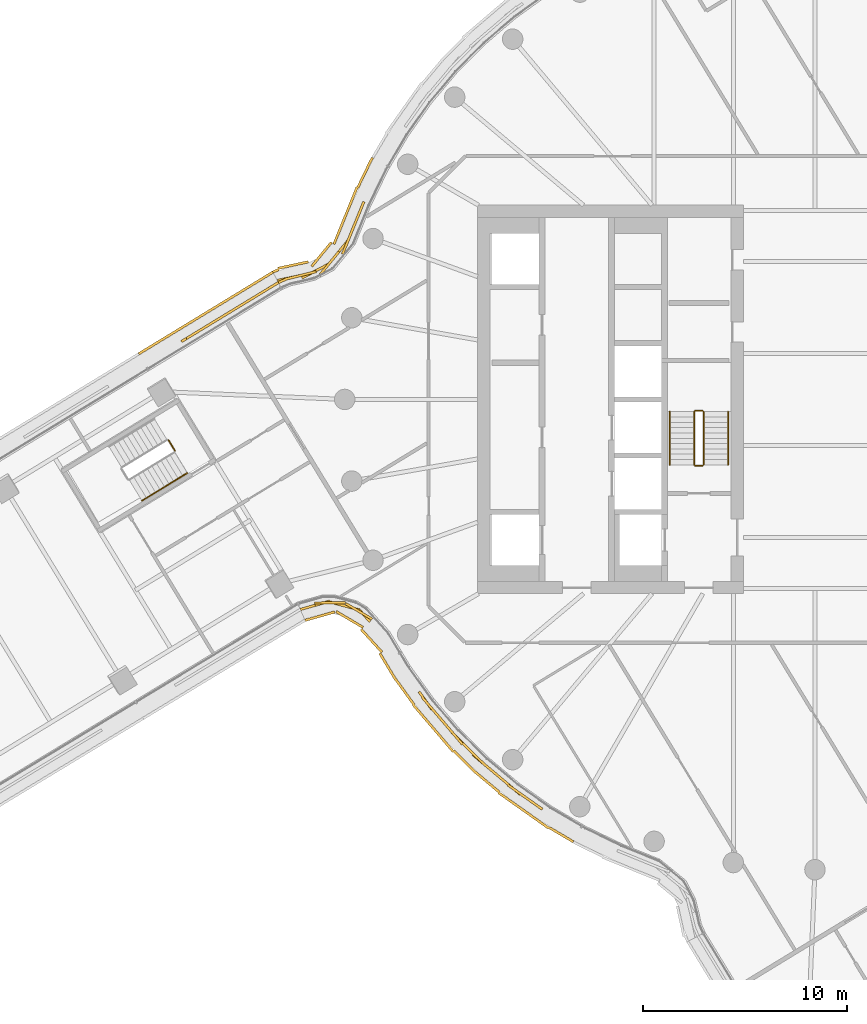
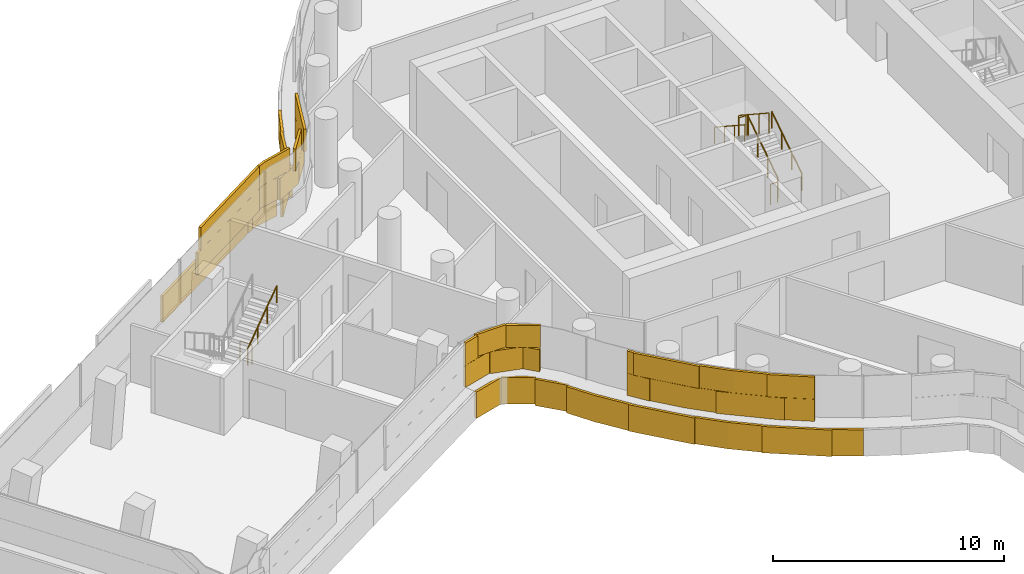
# One storey, part 30 of 35: 8 railings, 3 coverings.
"""IFC4 building model written with IfcOpenShell, lengths in metres."""

from ifc_helpers import new_model, si_unit, direction, frame, origin, origin_2d, place, context, subcontext, project, spatial, rectangle, circle, extrude, material, layer, layer_set, type_object, element, save


model = new_model("IFC4")

# Units and contexts
model_context = context("Model", 3, precision=1e-05, world=origin(), true_north=direction((0.0, 1.0)))
body_context = subcontext(model_context, "Body", "Model", "MODEL_VIEW")
ifc_project = project(units=[si_unit("LENGTHUNIT", "METRE"), si_unit("AREAUNIT", "SQUARE_METRE"), si_unit("VOLUMEUNIT", "CUBIC_METRE"), si_unit("PLANEANGLEUNIT", "RADIAN"), si_unit("MASSUNIT", "GRAM", prefix="KILO")], contexts=[model_context])

# Site, building, storey
site_placement = place(None, origin())
site = spatial("IfcSite", under=ifc_project, at=site_placement, CompositionType="ELEMENT")
building_placement = place(site_placement, origin())
building = spatial("IfcBuilding", under=site, at=building_placement, Name="Tamarind Cross Interchange Tower", CompositionType="ELEMENT")
storey_placement = place(building_placement, frame((0.0, 0.0, 148.0)))
storey = spatial("IfcBuildingStorey", under=building, at=storey_placement, Name="L36", CompositionType="ELEMENT", Elevation=148.0)

# Railings
ifc_material_1 = material(Name="Stair guard")
railing_type_1 = type_object("IfcRailingType", Name="Stair guard", PredefinedType="GUARDRAIL", material=ifc_material_1)
railing_1_placement = place(storey_placement, frame((-5.449951171875, -3.199951171875, 0.17041015625)))
element("IfcRailing", 1, at=railing_1_placement, inside=storey, type_object=railing_type_1, Name="L36 ST1 stair guard 1", PredefinedType="GUARDRAIL", context=body_context, shape_type="SweptSolid", body=[
    extrude(circle(Radius=0.02392578125, at=origin_2d()), frame((0.0, 0.0, 1.076171875), z_axis=(0.0, 0.836278606002, 0.548304744775), x_axis=(-1.0, 0.0, 0.0)), (0.0, 0.0, 1.0), 3.10888671875),
    extrude(circle(Radius=0.02099609375, at=origin_2d()), origin(), (0.0, 0.0, 1.0), 1.052001953125),
    extrude(circle(Radius=0.02099609375, at=origin_2d()), frame((0.0, 0.86669921875, 0.568115234375)), (0.0, 0.0, 1.0), 1.052001953125),
    extrude(circle(Radius=0.02099609375, at=origin_2d()), frame((0.0, 1.733154296875, 1.136474609375)), (0.0, 0.0, 1.0), 1.052001953125),
    extrude(circle(Radius=0.02099609375, at=origin_2d()), frame((0.0, 2.599853515625, 1.70458984375)), (0.0, 0.0, 1.0), 1.052001953125),
])
railing_2_placement = place(storey_placement, frame((-5.5, -0.550048828125, 1.875)))
element("IfcRailing", 2, at=railing_2_placement, inside=storey, type_object=railing_type_1, Name="L36 ST1 stair guard 2", PredefinedType="GUARDRAIL", context=body_context, shape_type="SweptSolid", body=[
    extrude(circle(Radius=0.02392578125, at=origin_2d()), frame((0.0, 0.0, 1.076171875), z_axis=(-1.0, 0.0, 0.0), x_axis=(0.0, -1.0, 0.0)), (0.0, 0.0, 1.0), 0.35009765625),
    extrude(circle(Radius=0.02099609375, at=origin_2d()), origin(), (0.0, 0.0, 1.0), 1.052001953125),
    extrude(circle(Radius=0.02099609375, at=origin_2d()), frame((-0.35009765625, 0.0, 0.0)), (0.0, 0.0, 1.0), 1.052001953125),
])
railing_3_placement = place(storey_placement, frame((-5.89990234375, -0.60009765625, 2.04541015625)))
element("IfcRailing", 3, at=railing_3_placement, inside=storey, type_object=railing_type_1, Name="L36 ST1 stair guard 3", PredefinedType="GUARDRAIL", context=body_context, shape_type="SweptSolid", body=[
    extrude(circle(Radius=0.02392578125, at=origin_2d()), frame((0.0, 0.0, 1.076171875), z_axis=(0.0, -0.836278606002, 0.548304744775), x_axis=(1.0, 0.0, 0.0)), (0.0, 0.0, 1.0), 3.10888671875),
    extrude(circle(Radius=0.02099609375, at=origin_2d()), origin(), (0.0, 0.0, 1.0), 1.052001953125),
    extrude(circle(Radius=0.02099609375, at=origin_2d()), frame((0.0, -0.86669921875, 0.568115234375)), (0.0, 0.0, 1.0), 1.052001953125),
    extrude(circle(Radius=0.02099609375, at=origin_2d()), frame((0.0, -1.733154296875, 1.136474609375)), (0.0, 0.0, 1.0), 1.052001953125),
    extrude(circle(Radius=0.02099609375, at=origin_2d()), frame((0.0, -2.599853515625, 1.70458984375)), (0.0, 0.0, 1.0), 1.052001953125),
])
railing_4_placement = place(storey_placement, frame((-5.5, -3.25, 0.0)))
element("IfcRailing", 4, at=railing_4_placement, inside=storey, type_object=railing_type_1, Name="L36 ST1 stair guard 4", PredefinedType="GUARDRAIL", context=body_context, shape_type="SweptSolid", body=[
    extrude(circle(Radius=0.02392578125, at=origin_2d()), frame((0.0, 0.0, 1.076171875), z_axis=(-1.0, 0.0, 0.0), x_axis=(0.0, -1.0, 0.0)), (0.0, 0.0, 1.0), 0.35009765625),
    extrude(circle(Radius=0.02099609375, at=origin_2d()), origin(), (0.0, 0.0, 1.0), 1.052001953125),
    extrude(circle(Radius=0.02099609375, at=origin_2d()), frame((-0.35009765625, 0.0, 0.0)), (0.0, 0.0, 1.0), 1.052001953125),
])
railing_5_placement = place(storey_placement, frame((-31.61669921875, -1.9931640625, 0.0)))
element("IfcRailing", 5, at=railing_5_placement, inside=storey, type_object=railing_type_1, Name="L36 ST5 stair guard 4", PredefinedType="GUARDRAIL", context=body_context, shape_type="SweptSolid", body=[
    extrude(circle(Radius=0.02392578125, at=origin_2d()), frame((0.0, 0.0, 1.076171875), z_axis=(0.520346994905, -0.853954919708, 0.0), x_axis=(0.853954919708, 0.520346994905, 0.0)), (0.0, 0.0, 1.0), 0.60009765625),
    extrude(circle(Radius=0.02099609375, at=origin_2d()), origin(), (0.0, 0.0, 1.0), 1.052001953125),
    extrude(circle(Radius=0.02099609375, at=origin_2d()), frame((0.312255859375, -0.512451171875, 0.0)), (0.0, 0.0, 1.0), 1.052001953125),
])
ifc_material_2 = material(Name="Stair handrail")
railing_type_2 = type_object("IfcRailingType", Name="Stair handrail", PredefinedType="HANDRAIL", material=ifc_material_2)
railing_6_placement = place(storey_placement, frame((-4.25, -3.199951171875, 0.17041015625)))
element("IfcRailing", 6, at=railing_6_placement, inside=storey, type_object=railing_type_2, Name="L36 ST1 stair handrail 1", PredefinedType="HANDRAIL", context=body_context, shape_type="SweptSolid", body=[
    extrude(circle(Radius=0.02392578125, at=origin_2d()), frame((0.0, 0.0, 0.8759765625), z_axis=(0.0, 0.836278606002, 0.548304744775), x_axis=(-1.0, 0.0, 0.0)), (0.0, 0.0, 1.0), 3.10888671875),
    extrude(circle(Radius=0.02099609375, at=origin_2d()), origin(), (0.0, 0.0, 1.0), 0.851806640625),
    extrude(circle(Radius=0.02099609375, at=origin_2d()), frame((0.0, 0.86669921875, 0.568115234375)), (0.0, 0.0, 1.0), 0.851806640625),
    extrude(circle(Radius=0.02099609375, at=origin_2d()), frame((0.0, 1.733154296875, 1.136474609375)), (0.0, 0.0, 1.0), 0.851806640625),
    extrude(circle(Radius=0.02099609375, at=origin_2d()), frame((0.0, 2.599853515625, 1.70458984375)), (0.0, 0.0, 1.0), 0.851806640625),
])
railing_7_placement = place(storey_placement, frame((-7.10009765625, -0.60009765625, 2.04541015625)))
element("IfcRailing", 7, at=railing_7_placement, inside=storey, type_object=railing_type_2, Name="L36 ST1 stair handrail 2", PredefinedType="HANDRAIL", context=body_context, shape_type="SweptSolid", body=[
    extrude(circle(Radius=0.02392578125, at=origin_2d()), frame((0.0, 0.0, 0.8759765625), z_axis=(0.0, -0.836278606002, 0.548304744775), x_axis=(1.0, 0.0, 0.0)), (0.0, 0.0, 1.0), 3.10888671875),
    extrude(circle(Radius=0.02099609375, at=origin_2d()), origin(), (0.0, 0.0, 1.0), 0.851806640625),
    extrude(circle(Radius=0.02099609375, at=origin_2d()), frame((0.0, -0.86669921875, 0.568115234375)), (0.0, 0.0, 1.0), 0.851806640625),
    extrude(circle(Radius=0.02099609375, at=origin_2d()), frame((0.0, -1.733154296875, 1.136474609375)), (0.0, 0.0, 1.0), 0.851806640625),
    extrude(circle(Radius=0.02099609375, at=origin_2d()), frame((0.0, -2.599853515625, 1.70458984375)), (0.0, 0.0, 1.0), 0.851806640625),
])
railing_8_placement = place(storey_placement, frame((-32.91748046875, -4.95166015625, 2.04541015625)))
element("IfcRailing", 8, at=railing_8_placement, inside=storey, type_object=railing_type_2, Name="L36 ST5 stair handrail 2", PredefinedType="HANDRAIL", context=body_context, shape_type="SweptSolid", body=[
    extrude(circle(Radius=0.02392578125, at=origin_2d()), frame((0.0, 0.0, 0.8759765625), z_axis=(0.714220387385, 0.435050131513, 0.548288811954), x_axis=(-0.520215026627, 0.854035318984, 0.0)), (0.0, 0.0, 1.0), 3.10888671875),
    extrude(circle(Radius=0.02099609375, at=origin_2d()), origin(), (0.0, 0.0, 1.0), 0.851806640625),
    extrude(circle(Radius=0.02099609375, at=origin_2d()), frame((0.740234375, 0.450927734375, 0.568115234375)), (0.0, 0.0, 1.0), 0.851806640625),
    extrude(circle(Radius=0.02099609375, at=origin_2d()), frame((1.480224609375, 0.901611328125, 1.136474609375)), (0.0, 0.0, 1.0), 0.851806640625),
    extrude(circle(Radius=0.02099609375, at=origin_2d()), frame((2.220458984375, 1.3525390625, 1.70458984375)), (0.0, 0.0, 1.0), 0.851806640625),
])

# Coverings
ifc_material_3 = material(Name="Terracotta", Category="masonry")
ifc_layer = layer(ifc_material_3, 0.1201171875)
ifc_layer_set = layer_set([ifc_layer], Name="Terracotta")
covering_type = type_object("IfcCoveringType", Name="Terracotta baguette screen unit", PredefinedType="MOLDING", material=ifc_layer_set)
covering_1_placement = place(storey_placement, origin())
element("IfcCovering", 9, at=covering_1_placement, inside=storey, type_object=covering_type, Name="SCR-L36-02-00", PredefinedType="MOLDING", context=body_context, shape_type="SweptSolid", body=[
    extrude(rectangle(XDim=1.510009765625, YDim=0.1201171875, at=origin_2d()), frame((-24.4482421875, -10.0693359375, 1.404052734375), z_axis=(0.0, 0.0, 1.0), x_axis=(0.961947395752, 0.273234711933, 0.0)), (0.0, 0.0, 1.0), 1.1669921875),
    extrude(rectangle(XDim=1.52001953125, YDim=0.1201171875, at=origin_2d()), frame((-22.984130859375, -10.1025390625, 1.404052734375), z_axis=(0.0, 0.0, 1.0), x_axis=(0.965393139057, -0.260798939915, 0.0)), (0.0, 0.0, 1.0), 1.1669921875),
    extrude(rectangle(XDim=0.739990234375, YDim=0.1201171875, at=origin_2d()), frame((-22.0078125, -10.59521484375, 1.404052734375), z_axis=(0.0, 0.0, 1.0), x_axis=(0.672064658233, -0.740492467993, 0.0)), (0.0, 0.0, 1.0), 1.1669921875),
    extrude(rectangle(XDim=1.079833984375, YDim=0.1201171875, at=origin_2d()), frame((-19.048095703125, -14.730224609375, 1.404052734375), z_axis=(0.0, 0.0, 1.0), x_axis=(0.584573890505, -0.811340475102, 0.0)), (0.0, 0.0, 1.0), 1.1669921875),
    extrude(rectangle(XDim=1.52001953125, YDim=0.1201171875, at=origin_2d()), frame((-18.22509765625, -15.71630859375, 1.404052734375), z_axis=(0.0, 0.0, 1.0), x_axis=(0.64957723968, -0.760295606781, 0.0)), (0.0, 0.0, 1.0), 1.1669921875),
    extrude(rectangle(XDim=1.52001953125, YDim=0.1201171875, at=origin_2d()), frame((-17.213623046875, -16.822021484375, 1.404052734375), z_axis=(0.0, 0.0, 1.0), x_axis=(0.710143317658, -0.704057148523, 0.0)), (0.0, 0.0, 1.0), 1.1669921875),
    extrude(rectangle(XDim=1.52001953125, YDim=0.1201171875, at=origin_2d()), frame((-16.141357421875, -17.87060546875, 1.404052734375), z_axis=(0.0, 0.0, 1.0), x_axis=(0.765858396687, -0.643009266048, 0.0)), (0.0, 0.0, 1.0), 1.1669921875),
    extrude(rectangle(XDim=1.52001953125, YDim=0.1201171875, at=origin_2d()), frame((-14.99267578125, -18.835205078125, 1.404052734375), z_axis=(0.0, 0.0, 1.0), x_axis=(0.765858396687, -0.643009266048, 0.0)), (0.0, 0.0, 1.0), 1.1669921875),
    extrude(rectangle(XDim=1.30908203125, YDim=0.1201171875, at=origin_2d()), frame((-13.86865234375, -19.66748046875, 1.404052734375), z_axis=(0.0, 0.0, 1.0), x_axis=(0.816341886298, -0.577568978284, 0.0)), (0.0, 0.0, 1.0), 1.1669921875),
    extrude(rectangle(XDim=0.760009765625, YDim=0.1201171875, at=origin_2d()), frame((-24.808837890625, -10.171875, 2.5791015625), z_axis=(0.0, 0.0, 1.0), x_axis=(0.961947395752, 0.273234711933, 0.0)), (0.0, 0.0, 1.0), 1.1669921875),
    extrude(rectangle(XDim=1.52001953125, YDim=0.1201171875, at=origin_2d()), frame((-23.714111328125, -9.952392578125, 2.5791015625), z_axis=(0.0, 0.0, 1.0), x_axis=(0.999979184587, 0.006452161906, 0.0)), (0.0, 0.0, 1.0), 1.1669921875),
    extrude(rectangle(XDim=1.489990234375, YDim=0.1201171875, at=origin_2d()), frame((-22.2998046875, -10.366455078125, 2.5791015625), z_axis=(0.0, 0.0, 1.0), x_axis=(0.860700875166, -0.509110993291, 0.0)), (0.0, 0.0, 1.0), 1.1669921875),
    extrude(rectangle(XDim=0.329833984375, YDim=0.1201171875, at=origin_2d()), frame((-19.267333984375, -14.426025390625, 2.5791015625), z_axis=(0.0, 0.0, 1.0), x_axis=(0.584573890505, -0.811340475102, 0.0)), (0.0, 0.0, 1.0), 1.1669921875),
    extrude(rectangle(XDim=1.52001953125, YDim=0.1201171875, at=origin_2d()), frame((-18.71240234375, -15.14599609375, 2.5791015625), z_axis=(0.0, 0.0, 1.0), x_axis=(0.64957723968, -0.760295606781, 0.0)), (0.0, 0.0, 1.0), 1.1669921875),
    extrude(rectangle(XDim=1.52001953125, YDim=0.1201171875, at=origin_2d()), frame((-17.738037109375, -16.286376953125, 2.5791015625), z_axis=(0.0, 0.0, 1.0), x_axis=(0.64957723968, -0.760295606781, 0.0)), (0.0, 0.0, 1.0), 1.1669921875),
    extrude(rectangle(XDim=1.52001953125, YDim=0.1201171875, at=origin_2d()), frame((-16.680908203125, -17.35009765625, 2.5791015625), z_axis=(0.0, 0.0, 1.0), x_axis=(0.710143317658, -0.704057148523, 0.0)), (0.0, 0.0, 1.0), 1.1669921875),
    extrude(rectangle(XDim=1.52001953125, YDim=0.1201171875, at=origin_2d()), frame((-15.567138671875, -18.352783203125, 2.5791015625), z_axis=(0.0, 0.0, 1.0), x_axis=(0.765858396687, -0.643009266048, 0.0)), (0.0, 0.0, 1.0), 1.1669921875),
    extrude(rectangle(XDim=1.52001953125, YDim=0.1201171875, at=origin_2d()), frame((-14.39892578125, -19.292236328125, 2.5791015625), z_axis=(0.0, 0.0, 1.0), x_axis=(0.816341886298, -0.577568978284, 0.0)), (0.0, 0.0, 1.0), 1.1669921875),
    extrude(rectangle(XDim=0.55908203125, YDim=0.1201171875, at=origin_2d()), frame((-13.5625, -19.884033203125, 2.5791015625), z_axis=(0.0, 0.0, 1.0), x_axis=(0.816341886298, -0.577568978284, 0.0)), (0.0, 0.0, 1.0), 1.1669921875),
    extrude(rectangle(XDim=1.510009765625, YDim=0.1201171875, at=origin_2d()), frame((-24.2119140625, -10.59912109375, 0.00390625), z_axis=(0.0, 0.0, 1.0), x_axis=(0.961947395752, 0.273234711933, 0.0)), (0.0, 0.0, 1.0), 1.39208984375),
    extrude(rectangle(XDim=1.52001953125, YDim=0.1201171875, at=origin_2d()), frame((-22.75927734375, -10.76171875, 0.00390625), z_axis=(0.0, 0.0, 1.0), x_axis=(0.860700875166, -0.509110993291, 0.0)), (0.0, 0.0, 1.0), 1.39208984375),
    extrude(rectangle(XDim=1.52001953125, YDim=0.1201171875, at=origin_2d()), frame((-21.690673828125, -11.79833984375, 0.00390625), z_axis=(0.0, 0.0, 1.0), x_axis=(0.672064658233, -0.740492467993, 0.0)), (0.0, 0.0, 1.0), 1.39208984375),
    extrude(rectangle(XDim=1.52001953125, YDim=0.1201171875, at=origin_2d()), frame((-20.893798828125, -13.066162109375, 0.00390625), z_axis=(0.0, 0.0, 1.0), x_axis=(0.515577308909, -0.856843065292, 0.0)), (0.0, 0.0, 1.0), 1.39208984375),
    extrude(rectangle(XDim=1.52001953125, YDim=0.1201171875, at=origin_2d()), frame((-20.05810546875, -14.310302734375, 0.00390625), z_axis=(0.0, 0.0, 1.0), x_axis=(0.584573890505, -0.811340475102, 0.0)), (0.0, 0.0, 1.0), 1.39208984375),
    extrude(rectangle(XDim=1.52001953125, YDim=0.1201171875, at=origin_2d()), frame((-19.157470703125, -15.5087890625, 0.00390625), z_axis=(0.0, 0.0, 1.0), x_axis=(0.64957723968, -0.760295606781, 0.0)), (0.0, 0.0, 1.0), 1.39208984375),
    extrude(rectangle(XDim=1.52001953125, YDim=0.1201171875, at=origin_2d()), frame((-18.18310546875, -16.649169921875, 0.00390625), z_axis=(0.0, 0.0, 1.0), x_axis=(0.64957723968, -0.760295606781, 0.0)), (0.0, 0.0, 1.0), 1.39208984375),
    extrude(rectangle(XDim=1.52001953125, YDim=0.1201171875, at=origin_2d()), frame((-17.12841796875, -17.71484375, 0.00390625), z_axis=(0.0, 0.0, 1.0), x_axis=(0.710143317658, -0.704057148523, 0.0)), (0.0, 0.0, 1.0), 1.39208984375),
    extrude(rectangle(XDim=1.52001953125, YDim=0.1201171875, at=origin_2d()), frame((-16.01904296875, -18.722900390625, 0.00390625), z_axis=(0.0, 0.0, 1.0), x_axis=(0.765858396687, -0.643009266048, 0.0)), (0.0, 0.0, 1.0), 1.39208984375),
    extrude(rectangle(XDim=1.52001953125, YDim=0.1201171875, at=origin_2d()), frame((-14.857666015625, -19.6708984375, 0.00390625), z_axis=(0.0, 0.0, 1.0), x_axis=(0.816341886298, -0.577568978284, 0.0)), (0.0, 0.0, 1.0), 1.39208984375),
    extrude(rectangle(XDim=1.52001953125, YDim=0.1201171875, at=origin_2d()), frame((-13.633056640625, -20.537109375, 0.00390625), z_axis=(0.0, 0.0, 1.0), x_axis=(0.816341886298, -0.577568978284, 0.0)), (0.0, 0.0, 1.0), 1.39208984375),
    extrude(rectangle(XDim=1.381591796875, YDim=0.1201171875, at=origin_2d()), frame((-12.413818359375, -21.2841796875, 0.00390625), z_axis=(0.0, 0.0, 1.0), x_axis=(0.861248933065, -0.508183308752, 0.0)), (0.0, 0.0, 1.0), 1.39208984375),
])
covering_2_placement = place(storey_placement, origin())
element("IfcCovering", 10, at=covering_2_placement, inside=storey, type_object=covering_type, Name="SCR-L36-14-01", PredefinedType="MOLDING", context=body_context, shape_type="SweptSolid", body=[
    extrude(rectangle(XDim=0.5107421875, YDim=0.1201171875, at=origin_2d()), frame((-22.159423828125, 9.43115234375, 1.404052734375), z_axis=(0.0, 0.0, 1.0), x_axis=(-0.377015527214, -0.92620693813, 0.0)), (0.0, 0.0, 1.0), 1.1669921875),
    extrude(rectangle(XDim=1.52001953125, YDim=0.1201171875, at=origin_2d()), frame((-22.53662109375, 8.50439453125, 1.404052734375), z_axis=(0.0, 0.0, 1.0), x_axis=(-0.377015527214, -0.92620693813, 0.0)), (0.0, 0.0, 1.0), 1.1669921875),
    extrude(rectangle(XDim=1.52001953125, YDim=0.1201171875, at=origin_2d()), frame((-23.28515625, 7.2236328125, 1.404052734375), z_axis=(0.0, 0.0, 1.0), x_axis=(-0.632316378763, -0.774710266582, 0.0)), (0.0, 0.0, 1.0), 1.1669921875),
    extrude(rectangle(XDim=1.52001953125, YDim=0.1201171875, at=origin_2d()), frame((-24.418701171875, 6.289306640625, 1.404052734375), z_axis=(0.0, 0.0, 1.0), x_axis=(-0.886897131511, -0.461966966478, 0.0)), (0.0, 0.0, 1.0), 1.1669921875),
    extrude(rectangle(XDim=1.18408203125, YDim=0.1201171875, at=origin_2d()), frame((-25.705078125, 5.943603515625, 1.404052734375), z_axis=(0.0, 0.0, 1.0), x_axis=(-0.977442190962, -0.211203132854, 0.0)), (0.0, 0.0, 1.0), 1.1669921875),
    extrude(rectangle(XDim=1.2607421875, YDim=0.1201171875, at=origin_2d()), frame((-22.30078125, 9.083740234375, 2.5791015625), z_axis=(0.0, 0.0, 1.0), x_axis=(-0.377015527214, -0.92620693813, 0.0)), (0.0, 0.0, 1.0), 1.1669921875),
    extrude(rectangle(XDim=1.52001953125, YDim=0.1201171875, at=origin_2d()), frame((-22.8193359375, 7.809814453125, 2.5791015625), z_axis=(0.0, 0.0, 1.0), x_axis=(-0.377015527214, -0.92620693813, 0.0)), (0.0, 0.0, 1.0), 1.1669921875),
    extrude(rectangle(XDim=1.52001953125, YDim=0.1201171875, at=origin_2d()), frame((-23.75927734375, 6.642822265625, 2.5791015625), z_axis=(0.0, 0.0, 1.0), x_axis=(-0.632316378763, -0.774710266582, 0.0)), (0.0, 0.0, 1.0), 1.1669921875),
    extrude(rectangle(XDim=1.52001953125, YDim=0.1201171875, at=origin_2d()), frame((-25.131591796875, 6.069091796875, 2.5791015625), z_axis=(0.0, 0.0, 1.0), x_axis=(-0.971172831543, -0.238376448652, 0.0)), (0.0, 0.0, 1.0), 1.1669921875),
    extrude(rectangle(XDim=0.43408203125, YDim=0.1201171875, at=origin_2d()), frame((-26.05126953125, 5.8017578125, 2.5791015625), z_axis=(0.0, 0.0, 1.0), x_axis=(-0.914649497546, -0.404247815874, 0.0)), (0.0, 0.0, 1.0), 1.1669921875),
    extrude(rectangle(XDim=0.138427734375, YDim=0.1201171875, at=origin_2d()), frame((-21.67041015625, 11.75927734375, 0.00390625), z_axis=(0.0, 0.0, 1.0), x_axis=(-0.508183308752, -0.861248933065, 0.0)), (0.0, 0.0, 1.0), 1.39208984375),
    extrude(rectangle(XDim=1.52001953125, YDim=0.1201171875, at=origin_2d()), frame((-22.032470703125, 11.035888671875, 0.00390625), z_axis=(0.0, 0.0, 1.0), x_axis=(-0.435326231914, -0.900272776334, 0.0)), (0.0, 0.0, 1.0), 1.39208984375),
    extrude(rectangle(XDim=1.52001953125, YDim=0.1201171875, at=origin_2d()), frame((-22.677001953125, 9.681884765625, 0.00390625), z_axis=(0.0, 0.0, 1.0), x_axis=(-0.377015527214, -0.92620693813, 0.0)), (0.0, 0.0, 1.0), 1.39208984375),
    extrude(rectangle(XDim=1.52001953125, YDim=0.1201171875, at=origin_2d()), frame((-23.24267578125, 8.29248046875, 0.00390625), z_axis=(0.0, 0.0, 1.0), x_axis=(-0.377015527214, -0.92620693813, 0.0)), (0.0, 0.0, 1.0), 1.39208984375),
    extrude(rectangle(XDim=1.52001953125, YDim=0.1201171875, at=origin_2d()), frame((-24.131103515625, 7.094970703125, 0.00390625), z_axis=(0.0, 0.0, 1.0), x_axis=(-0.632316378763, -0.774710266582, 0.0)), (0.0, 0.0, 1.0), 1.39208984375),
    extrude(rectangle(XDim=1.52001953125, YDim=0.1201171875, at=origin_2d()), frame((-25.521484375, 6.570556640625, 0.00390625), z_axis=(0.0, 0.0, 1.0), x_axis=(-0.977442190962, -0.211203132854, 0.0)), (0.0, 0.0, 1.0), 1.39208984375),
    extrude(rectangle(XDim=0.313720703125, YDim=0.1201171875, at=origin_2d()), frame((-26.3681640625, 6.2890625, 0.00390625), z_axis=(0.0, 0.0, 1.0), x_axis=(-0.914649497546, -0.404247815874, 0.0)), (0.0, 0.0, 1.0), 1.39208984375),
])
covering_3_placement = place(storey_placement, origin())
element("IfcCovering", 11, at=covering_3_placement, inside=storey, type_object=covering_type, Name="SCR-L36-15-00", PredefinedType="MOLDING", context=body_context, shape_type="SweptSolid", body=[
    extrude(rectangle(XDim=1.510009765625, YDim=0.1201171875, at=origin_2d()), frame((-26.8857421875, 5.325927734375, 1.404052734375), z_axis=(0.0, 0.0, 1.0), x_axis=(-0.854059616181, -0.520175135901, 0.0)), (0.0, 0.0, 1.0), 1.1669921875),
    extrude(rectangle(XDim=1.52001953125, YDim=0.1201171875, at=origin_2d()), frame((-28.166748046875, 4.545654296875, 1.404052734375), z_axis=(0.0, 0.0, 1.0), x_axis=(-0.854059616181, -0.520175135901, 0.0)), (0.0, 0.0, 1.0), 1.1669921875),
    extrude(rectangle(XDim=1.52001953125, YDim=0.1201171875, at=origin_2d()), frame((-29.447998046875, 3.765380859375, 1.404052734375), z_axis=(0.0, 0.0, 1.0), x_axis=(-0.854059616181, -0.520175135901, 0.0)), (0.0, 0.0, 1.0), 1.1669921875),
    extrude(rectangle(XDim=1.05712890625, YDim=0.1201171875, at=origin_2d()), frame((-30.53564453125, 3.102783203125, 1.404052734375), z_axis=(0.0, 0.0, 1.0), x_axis=(-0.854059616181, -0.520175135901, 0.0)), (0.0, 0.0, 1.0), 1.1669921875),
    extrude(rectangle(XDim=0.760009765625, YDim=0.1201171875, at=origin_2d()), frame((-26.5654296875, 5.520751953125, 2.5791015625), z_axis=(0.0, 0.0, 1.0), x_axis=(-0.854059616181, -0.520175135901, 0.0)), (0.0, 0.0, 1.0), 1.1669921875),
    extrude(rectangle(XDim=1.52001953125, YDim=0.1201171875, at=origin_2d()), frame((-27.5263671875, 4.935791015625, 2.5791015625), z_axis=(0.0, 0.0, 1.0), x_axis=(-0.854059616181, -0.520175135901, 0.0)), (0.0, 0.0, 1.0), 1.1669921875),
    extrude(rectangle(XDim=1.52001953125, YDim=0.1201171875, at=origin_2d()), frame((-28.807373046875, 4.155517578125, 2.5791015625), z_axis=(0.0, 0.0, 1.0), x_axis=(-0.854059616181, -0.520175135901, 0.0)), (0.0, 0.0, 1.0), 1.1669921875),
    extrude(rectangle(XDim=1.52001953125, YDim=0.1201171875, at=origin_2d()), frame((-30.08837890625, 3.375244140625, 2.5791015625), z_axis=(0.0, 0.0, 1.0), x_axis=(-0.854059616181, -0.520175135901, 0.0)), (0.0, 0.0, 1.0), 1.1669921875),
    extrude(rectangle(XDim=1.510009765625, YDim=0.1201171875, at=origin_2d()), frame((-27.156494140625, 5.8330078125, 0.00390625), z_axis=(0.0, 0.0, 1.0), x_axis=(-0.854059616181, -0.520175135901, 0.0)), (0.0, 0.0, 1.0), 1.39208984375),
    extrude(rectangle(XDim=1.52001953125, YDim=0.1201171875, at=origin_2d()), frame((-28.433349609375, 5.055419921875, 0.00390625), z_axis=(0.0, 0.0, 1.0), x_axis=(-0.854059616181, -0.520175135901, 0.0)), (0.0, 0.0, 1.0), 1.39208984375),
    extrude(rectangle(XDim=1.52001953125, YDim=0.1201171875, at=origin_2d()), frame((-29.71435546875, 4.275146484375, 0.00390625), z_axis=(0.0, 0.0, 1.0), x_axis=(-0.854059616181, -0.520175135901, 0.0)), (0.0, 0.0, 1.0), 1.39208984375),
    extrude(rectangle(XDim=1.52001953125, YDim=0.1201171875, at=origin_2d()), frame((-30.995361328125, 3.494873046875, 0.00390625), z_axis=(0.0, 0.0, 1.0), x_axis=(-0.854059616181, -0.520175135901, 0.0)), (0.0, 0.0, 1.0), 1.39208984375),
    extrude(rectangle(XDim=1.52001953125, YDim=0.1201171875, at=origin_2d()), frame((-32.276611328125, 2.714599609375, 0.00390625), z_axis=(0.0, 0.0, 1.0), x_axis=(-0.854059616181, -0.520175135901, 0.0)), (0.0, 0.0, 1.0), 1.39208984375),
    extrude(rectangle(XDim=0.191650390625, YDim=0.1201171875, at=origin_2d()), frame((-32.990478515625, 2.27978515625, 0.00390625), z_axis=(0.0, 0.0, 1.0), x_axis=(-0.854059616181, -0.520175135901, 0.0)), (0.0, 0.0, 1.0), 1.39208984375),
])

save(model, "model.ifc")
